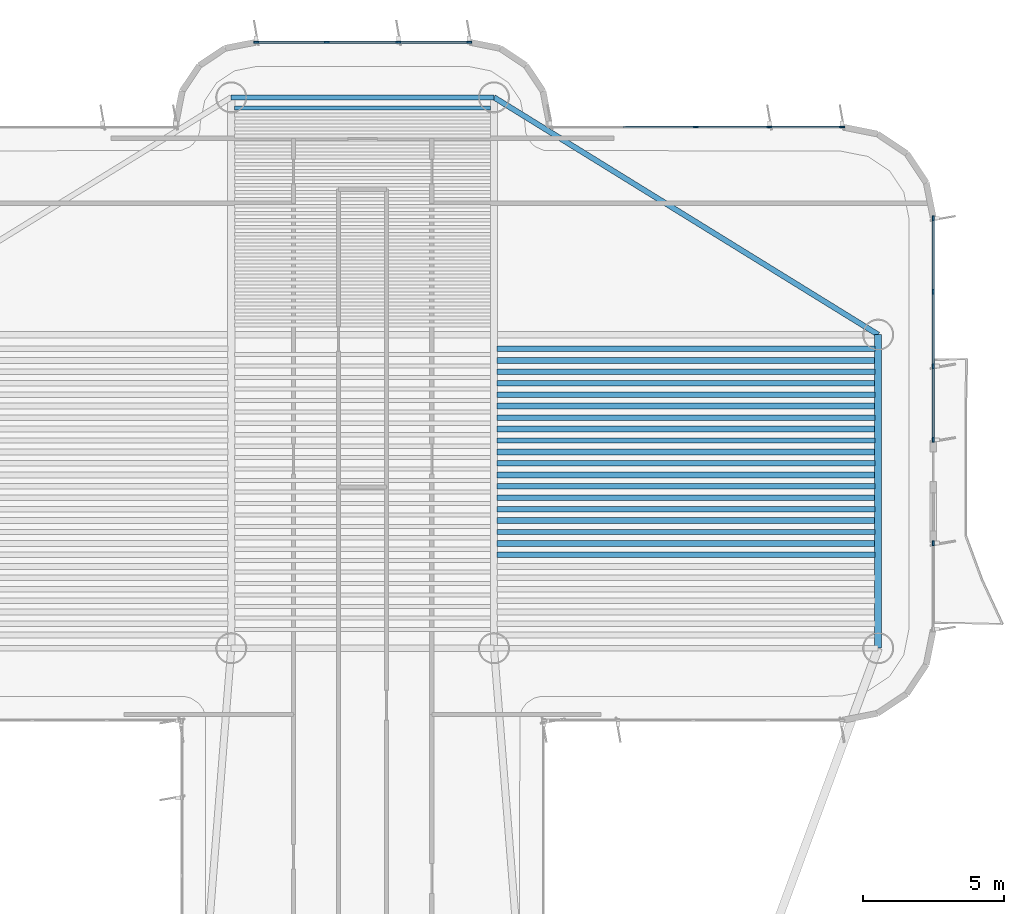
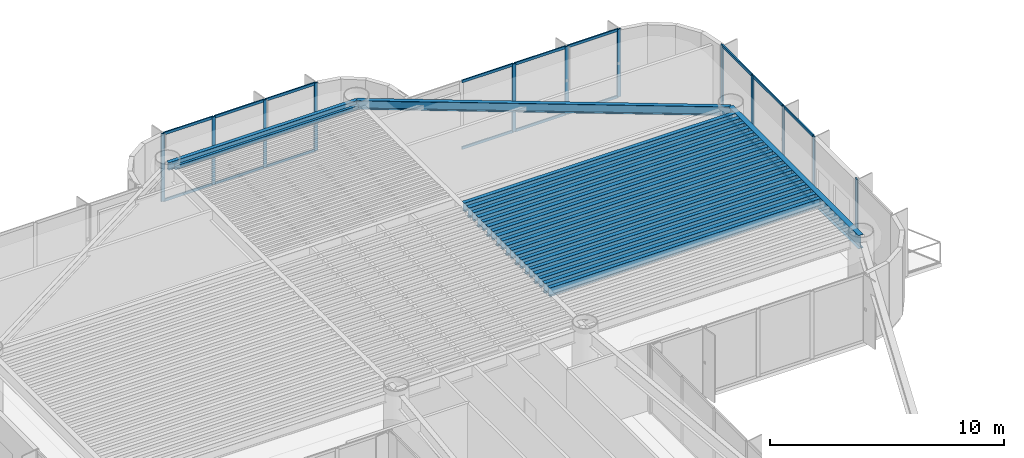
# One storey, part 7 of 13: 30 members, 23 beams, 4 elements without a shape of their own.
"""IFC4 building model written with IfcOpenShell, lengths in metres."""

from ifc_helpers import new_model, si_unit, direction, frame, origin, origin_2d, place, context, subcontext, project, spatial, rectangle, i_section, extrude, source, transform, mapped, material, layer, layer_set, material_profile, profile_set, type_object, element, aggregate, save


model = new_model("IFC4")

# Units and contexts
model_context = context("Model", 3, precision=1e-05, world=origin(), true_north=direction((0.0, 1.0)))
body_context = subcontext(model_context, "Body", "Model", "MODEL_VIEW")
ifc_project = project(units=[si_unit("LENGTHUNIT", "METRE"), si_unit("AREAUNIT", "SQUARE_METRE"), si_unit("VOLUMEUNIT", "CUBIC_METRE"), si_unit("PLANEANGLEUNIT", "RADIAN"), si_unit("MASSUNIT", "GRAM", prefix="KILO")], contexts=[model_context])

# Site, building, storey
site_placement = place(None, origin())
site = spatial("IfcSite", under=ifc_project, at=site_placement, CompositionType="ELEMENT")
building_placement = place(site_placement, origin())
building = spatial("IfcBuilding", under=site, at=building_placement, Name="Brelvock Crest Care Tower", CompositionType="ELEMENT")
storey_placement = place(building_placement, frame((0.0, 0.0, 186.659912109375)))
storey = spatial("IfcBuildingStorey", under=building, at=storey_placement, Name="L47", CompositionType="ELEMENT", Elevation=186.659912109375)

# Beams
ifc_material_1 = material(Name="Steel Grade 350", Category="steel")
ifc_material_profile_1 = material_profile(ifc_material_1, i_section(OverallWidth=0.177978515625, OverallDepth=0.406005859375, WebThickness=0.0078125, FlangeThickness=0.0126953125, FilletRadius=0.011474609375, at=origin_2d()), Name="410UB59.7")
ifc_profile_set_1 = profile_set([ifc_material_profile_1], Name="Steel Grade 350")
beam_type_1 = type_object("IfcBeamType", Name="BM-SP1", PredefinedType="SPANDREL", material=ifc_profile_set_1)
shared_shape_1 = source(origin(), body_context, "Body", "SweptSolid", [
    extrude(i_section(OverallWidth=0.177978515625, OverallDepth=0.406005859375, WebThickness=0.0078125, FlangeThickness=0.0126953125, FilletRadius=0.011474609375, at=origin_2d()), origin(), (0.0, 0.0, 1.0), 9.2998046875),
])
beam_1_placement = place(storey_placement, frame((31.35009765625, 54.449951171875, 3.3271484375), z_axis=(1.0, 0.0, 0.0), x_axis=(0.0, 1.0, 0.0)))
element("IfcBeam", 1, at=beam_1_placement, inside=storey, type_object=beam_type_1, Name="BM-TWR-L47-08", PredefinedType="SPANDREL", context=body_context, shape_type="MappedRepresentation", body=[
    mapped(shared_shape_1, transform((0.0, 0.0, 0.0), x_axis=(1.0, 0.0, 0.0), y_axis=(0.0, 1.0, 0.0), z_axis=(0.0, 0.0, 1.0), scale=1.0)),
])
ifc_material_profile_2 = material_profile(ifc_material_1, i_section(OverallWidth=0.134033203125, OverallDepth=0.20703125, WebThickness=0.00634765625, FlangeThickness=0.009521484375, FilletRadius=0.0087890625, at=origin_2d()), Name="200UB29.8")
ifc_profile_set_2 = profile_set([ifc_material_profile_2], Name="Steel Grade 350")
beam_type_2 = type_object("IfcBeamType", Name="BM-J4", PredefinedType="JOIST", material=ifc_profile_set_2)
shared_shape_2 = source(origin(), body_context, "Body", "SweptSolid", [
    extrude(i_section(OverallWidth=0.134033203125, OverallDepth=0.20703125, WebThickness=0.00634765625, FlangeThickness=0.009521484375, FilletRadius=0.0087890625, at=origin_2d()), origin(), (0.0, 0.0, 1.0), 9.06982421875),
])
beam_2_placement = place(storey_placement, frame((31.465087890625, 54.06787109375, 3.426513671875), z_axis=(1.0, 0.0, 0.0), x_axis=(0.0, 1.0, 0.0)))
element("IfcBeam", 2, at=beam_2_placement, inside=storey, type_object=beam_type_2, Name="BM-JN-L47-32", PredefinedType="JOIST", context=body_context, shape_type="MappedRepresentation", body=[
    mapped(shared_shape_2, transform((0.0, 0.0, 0.0), x_axis=(1.0, 0.0, 0.0), y_axis=(0.0, 1.0, 0.0), z_axis=(0.0, 0.0, 1.0), scale=1.0)),
])
ifc_material_profile_3 = material_profile(ifc_material_1, i_section(OverallWidth=0.208984375, OverallDepth=0.532958984375, WebThickness=0.01025390625, FlangeThickness=0.015625, FilletRadius=0.013916015625, at=origin_2d()), Name="530UB92.4")
ifc_profile_set_3 = profile_set([ifc_material_profile_3], Name="Steel Grade 350")
beam_type_3 = type_object("IfcBeamType", Name="BM-G2", PredefinedType="BEAM", material=ifc_profile_set_3)
shared_shape_3 = source(origin(), body_context, "Body", "SweptSolid", [
    extrude(i_section(OverallWidth=0.208984375, OverallDepth=0.532958984375, WebThickness=0.01025390625, FlangeThickness=0.015625, FilletRadius=0.013916015625, at=origin_2d()), origin(), (0.0, 0.0, 1.0), 13.3701171875),
])
for number, where, z_axis, x_axis, name in (
    (3, (40.764892578125, 38.657470703125, 3.263671875), (1.0, 0.0, 0.0), (0.0, 1.0, 0.0), "BM-JE-L47-9"),
    (4, (40.764892578125, 39.4677734375, 3.263671875), (1.0, 0.0, 0.0), (0.0, 1.0, 0.0), "BM-JE-L47-11"),
    (5, (40.764892578125, 40.278076171875, 3.263671875), (1.0, 0.0, 0.0), (0.0, 1.0, 0.0), "BM-JE-L47-13"),
    (6, (40.764892578125, 41.08837890625, 3.263671875), (1.0, 0.0, 0.0), (0.0, 1.0, 0.0), "BM-JE-L47-15"),
    (7, (40.764892578125, 41.898681640625, 3.263671875), (1.0, 0.0, 0.0), (0.0, 1.0, 0.0), "BM-JE-L47-17"),
    (8, (40.764892578125, 42.708984375, 3.263671875), (1.0, 0.0, 0.0), (0.0, 1.0, 0.0), "BM-JE-L47-19"),
    (9, (40.764892578125, 43.519287109375, 3.263671875), (1.0, 0.0, 0.0), (0.0, 1.0, 0.0), "BM-JE-L47-21"),
    (10, (40.764892578125, 44.32958984375, 3.263671875), (1.0, 0.0, 0.0), (0.0, 1.0, 0.0), "BM-JE-L47-23"),
    (11, (40.764892578125, 45.139892578125, 3.263671875), (1.0, 0.0, 0.0), (0.0, 1.0, 0.0), "BM-JE-L47-25"),
):
    element("IfcBeam", number, at=place(storey_placement, frame(where, z_axis=z_axis, x_axis=x_axis)), inside=storey, type_object=beam_type_3, Name=name, PredefinedType="BEAM", context=body_context, shape_type="MappedRepresentation", body=[
        mapped(shared_shape_3, transform((0.0, 0.0, 0.0), x_axis=(1.0, 0.0, 0.0), y_axis=(0.0, 1.0, 0.0), z_axis=(0.0, 0.0, 1.0), scale=1.0)),
    ])
ifc_material_profile_4 = material_profile(ifc_material_1, i_section(OverallWidth=0.19091796875, OverallDepth=0.4599609375, WebThickness=0.010009765625, FlangeThickness=0.01611328125, FilletRadius=0.011474609375, at=origin_2d()), Name="460UB82.1")
ifc_profile_set_4 = profile_set([ifc_material_profile_4], Name="Steel Grade 350")
beam_type_4 = type_object("IfcBeamType", Name="BM-G3", PredefinedType="BEAM", material=ifc_profile_set_4)
shared_shape_4 = source(origin(), body_context, "Body", "SweptSolid", [
    extrude(i_section(OverallWidth=0.19091796875, OverallDepth=0.4599609375, WebThickness=0.010009765625, FlangeThickness=0.01611328125, FilletRadius=0.011474609375, at=origin_2d()), origin(), (0.0, 0.0, 1.0), 13.3701171875),
])
for number, where, z_axis, x_axis, name in (
    (12, (40.764892578125, 38.252197265625, 3.300048828125), (1.0, 0.0, 0.0), (0.0, 1.0, 0.0), "BM-JE-L47-8"),
    (13, (40.764892578125, 39.0625, 3.300048828125), (1.0, 0.0, 0.0), (0.0, 1.0, 0.0), "BM-JE-L47-10"),
    (14, (40.764892578125, 39.872802734375, 3.300048828125), (1.0, 0.0, 0.0), (0.0, 1.0, 0.0), "BM-JE-L47-12"),
    (15, (40.764892578125, 40.68310546875, 3.300048828125), (1.0, 0.0, 0.0), (0.0, 1.0, 0.0), "BM-JE-L47-14"),
    (16, (40.764892578125, 41.493408203125, 3.300048828125), (1.0, 0.0, 0.0), (0.0, 1.0, 0.0), "BM-JE-L47-16"),
    (17, (40.764892578125, 42.3037109375, 3.300048828125), (1.0, 0.0, 0.0), (0.0, 1.0, 0.0), "BM-JE-L47-18"),
    (18, (40.764892578125, 43.114013671875, 3.300048828125), (1.0, 0.0, 0.0), (0.0, 1.0, 0.0), "BM-JE-L47-20"),
    (19, (40.764892578125, 43.92431640625, 3.300048828125), (1.0, 0.0, 0.0), (0.0, 1.0, 0.0), "BM-JE-L47-22"),
    (20, (40.764892578125, 44.734619140625, 3.300048828125), (1.0, 0.0, 0.0), (0.0, 1.0, 0.0), "BM-JE-L47-24"),
    (21, (40.764892578125, 45.544921875, 3.300048828125), (1.0, 0.0, 0.0), (0.0, 1.0, 0.0), "BM-JE-L47-26"),
):
    element("IfcBeam", number, at=place(storey_placement, frame(where, z_axis=z_axis, x_axis=x_axis)), inside=storey, type_object=beam_type_4, Name=name, PredefinedType="BEAM", context=body_context, shape_type="MappedRepresentation", body=[
        mapped(shared_shape_4, transform((0.0, 0.0, 0.0), x_axis=(1.0, 0.0, 0.0), y_axis=(0.0, 1.0, 0.0), z_axis=(0.0, 0.0, 1.0), scale=1.0)),
    ])
ifc_material_profile_5 = material_profile(ifc_material_1, i_section(OverallWidth=0.25, OverallDepth=0.699951171875, WebThickness=0.011962890625, FlangeThickness=0.02001953125, at=origin_2d()), Name="700WB150")
ifc_profile_set_5 = profile_set([ifc_material_profile_5], Name="Steel Grade 350")
beam_type_5 = type_object("IfcBeamType", Name="BM-G4", PredefinedType="BEAM", material=ifc_profile_set_5)
shared_shape_5 = source(origin(), body_context, "Body", "SweptSolid", [
    extrude(i_section(OverallWidth=0.25, OverallDepth=0.699951171875, WebThickness=0.011962890625, FlangeThickness=0.02001953125, at=origin_2d()), origin(), (0.0, 0.0, 1.0), 11.10009765625),
])
beam_3_placement = place(storey_placement, frame((54.25, 34.949951171875, 3.18017578125), z_axis=(0.0, 1.0, 0.0), x_axis=(-1.0, 0.0, 0.0)))
element("IfcBeam", 22, at=beam_3_placement, inside=storey, type_object=beam_type_5, Name="BM-TWR-L47-02", PredefinedType="BEAM", context=body_context, shape_type="MappedRepresentation", body=[
    mapped(shared_shape_5, transform((0.0, 0.0, 0.0), x_axis=(1.0, 0.0, 0.0), y_axis=(0.0, 1.0, 0.0), z_axis=(0.0, 0.0, 1.0), scale=1.0)),
])
ifc_material_profile_6 = material_profile(ifc_material_1, i_section(OverallWidth=0.19091796875, OverallDepth=0.4599609375, WebThickness=0.010009765625, FlangeThickness=0.01611328125, FilletRadius=0.011474609375, at=origin_2d()), Name="460UB82.1")
ifc_profile_set_6 = profile_set([ifc_material_profile_6], Name="Steel Grade 350")
beam_type_6 = type_object("IfcBeamType", Name="BM-SP2", PredefinedType="SPANDREL", material=ifc_profile_set_6)
shared_shape_6 = source(origin(), body_context, "Body", "SweptSolid", [
    extrude(i_section(OverallWidth=0.19091796875, OverallDepth=0.4599609375, WebThickness=0.010009765625, FlangeThickness=0.01611328125, FilletRadius=0.011474609375, at=origin_2d()), origin(), (0.0, 0.0, 1.0), 15.985107421875),
])
beam_4_placement = place(storey_placement, frame((40.64990234375, 54.449951171875, 3.300048828125), z_axis=(0.850802415717, -0.525485727124, 0.0), x_axis=(0.525485727124, 0.850802415717, 0.0)))
element("IfcBeam", 23, at=beam_4_placement, inside=storey, type_object=beam_type_6, Name="BM-TWR-L47-07", PredefinedType="SPANDREL", context=body_context, shape_type="MappedRepresentation", body=[
    mapped(shared_shape_6, transform((0.0, 0.0, 0.0), x_axis=(1.0, 0.0, 0.0), y_axis=(0.0, 1.0, 0.0), z_axis=(0.0, 0.0, 1.0), scale=1.0)),
])

# Curtain wall, members
ifc_material_2 = material(Name="Dark Glass Double Glazed Low-E", Category="glass")
ifc_layer = layer(ifc_material_2, 0.22509765625, Name="CWS-4")
ifc_layer_set = layer_set([ifc_layer], Name="Dark Glass Double Glazed Low-E")
curtain_wall_type = type_object("IfcCurtainWallType", Name="CWS-4", PredefinedType="NOTDEFINED", material=ifc_layer_set)
curtain_wall_1_placement = place(storey_placement, origin())
curtain_wall_1 = element("IfcCurtainWall", 24, at=curtain_wall_1_placement, inside=storey, type_object=curtain_wall_type, Name="L47 Curtain Wall E28", PredefinedType="NOTDEFINED")
ifc_material_3 = material(Name="Aluminium 6063-T6", Category="aluminium")
ifc_material_profile_7 = material_profile(ifc_material_3, rectangle(XDim=0.06005859375, YDim=0.179931640625, at=origin_2d()), Name="ALU60x180")
ifc_profile_set_7 = profile_set([ifc_material_profile_7], Name="Aluminium 6063-T6")
member_type_1 = type_object("IfcMemberType", Name="CWM-2", PredefinedType="MULLION", material=ifc_profile_set_7)
shared_shape_7 = source(origin(), body_context, "Body", "SweptSolid", [
    extrude(rectangle(XDim=0.06005859375, YDim=0.179931640625, at=origin_2d()), origin(), (0.0, 0.0, 1.0), 3.530029296875),
])
member_1_placement = place(storey_placement, frame((32.22998046875, 56.39990234375, 0.0), z_axis=(0.0, 0.0, 1.0), x_axis=(0.0, 1.0, 0.0)))
member_1 = element("IfcMember", 25, at=member_1_placement, type_object=member_type_1, Name="CW-4 mullion 1", PredefinedType="MULLION", context=body_context, shape_type="MappedRepresentation", body=[
    mapped(shared_shape_7, transform((0.0, 0.0, 0.0), x_axis=(1.0, 0.0, 0.0), y_axis=(0.0, 1.0, 0.0), z_axis=(0.0, 0.0, 1.0), scale=1.0)),
])
member_2_placement = place(storey_placement, frame((34.7333984375, 56.39990234375, 0.0), z_axis=(0.0, 0.0, 1.0), x_axis=(0.0, 1.0, 0.0)))
member_2 = element("IfcMember", 26, at=member_2_placement, type_object=member_type_1, Name="CW-4 mullion 2", PredefinedType="MULLION", context=body_context, shape_type="MappedRepresentation", body=[
    mapped(shared_shape_7, transform((0.0, 0.0, 0.0), x_axis=(1.0, 0.0, 0.0), y_axis=(0.0, 1.0, 0.0), z_axis=(0.0, 0.0, 1.0), scale=1.0)),
])
member_3_placement = place(storey_placement, frame((37.2666015625, 56.39990234375, 0.0), z_axis=(0.0, 0.0, 1.0), x_axis=(0.0, 1.0, 0.0)))
member_3 = element("IfcMember", 27, at=member_3_placement, type_object=member_type_1, Name="CW-4 mullion 3", PredefinedType="MULLION", context=body_context, shape_type="MappedRepresentation", body=[
    mapped(shared_shape_7, transform((0.0, 0.0, 0.0), x_axis=(1.0, 0.0, 0.0), y_axis=(0.0, 1.0, 0.0), z_axis=(0.0, 0.0, 1.0), scale=1.0)),
])
member_4_placement = place(storey_placement, frame((39.77001953125, 56.39990234375, 0.0), z_axis=(0.0, 0.0, 1.0), x_axis=(0.0, 1.0, 0.0)))
member_4 = element("IfcMember", 28, at=member_4_placement, type_object=member_type_1, Name="CW-4 mullion 4", PredefinedType="MULLION", context=body_context, shape_type="MappedRepresentation", body=[
    mapped(shared_shape_7, transform((0.0, 0.0, 0.0), x_axis=(1.0, 0.0, 0.0), y_axis=(0.0, 1.0, 0.0), z_axis=(0.0, 0.0, 1.0), scale=1.0)),
])

curtain_wall_2_placement = place(storey_placement, origin())
curtain_wall_2 = element("IfcCurtainWall", 29, at=curtain_wall_2_placement, inside=storey, type_object=curtain_wall_type, Name="L47 Curtain Wall E34", PredefinedType="NOTDEFINED")
member_5_placement = place(storey_placement, frame((47.800048828125, 53.39990234375, 0.0), z_axis=(0.0, 0.0, 1.0), x_axis=(0.0, 1.0, 0.0)))
member_5 = element("IfcMember", 30, at=member_5_placement, type_object=member_type_1, Name="CW-4 mullion 3", PredefinedType="MULLION", context=body_context, shape_type="MappedRepresentation", body=[
    mapped(shared_shape_7, transform((0.0, 0.0, 0.0), x_axis=(1.0, 0.0, 0.0), y_axis=(0.0, 1.0, 0.0), z_axis=(0.0, 0.0, 1.0), scale=1.0)),
])
member_6_placement = place(storey_placement, frame((50.39990234375, 53.39990234375, 0.0), z_axis=(0.0, 0.0, 1.0), x_axis=(0.0, 1.0, 0.0)))
member_6 = element("IfcMember", 31, at=member_6_placement, type_object=member_type_1, Name="CW-4 mullion 4", PredefinedType="MULLION", context=body_context, shape_type="MappedRepresentation", body=[
    mapped(shared_shape_7, transform((0.0, 0.0, 0.0), x_axis=(1.0, 0.0, 0.0), y_axis=(0.0, 1.0, 0.0), z_axis=(0.0, 0.0, 1.0), scale=1.0)),
])
member_7_placement = place(storey_placement, frame((52.969970703125, 53.39990234375, 0.0), z_axis=(0.0, 0.0, 1.0), x_axis=(0.0, 1.0, 0.0)))
member_7 = element("IfcMember", 32, at=member_7_placement, type_object=member_type_1, Name="CW-4 mullion 5", PredefinedType="MULLION", context=body_context, shape_type="MappedRepresentation", body=[
    mapped(shared_shape_7, transform((0.0, 0.0, 0.0), x_axis=(1.0, 0.0, 0.0), y_axis=(0.0, 1.0, 0.0), z_axis=(0.0, 0.0, 1.0), scale=1.0)),
])

curtain_wall_3_placement = place(storey_placement, origin())
curtain_wall_3 = element("IfcCurtainWall", 33, at=curtain_wall_3_placement, inside=storey, type_object=curtain_wall_type, Name="L47 Curtain Wall E39A", PredefinedType="NOTDEFINED")
member_8_placement = place(storey_placement, frame((56.199951171875, 50.169921875, 0.0), z_axis=(0.0, 0.0, 1.0), x_axis=(1.0, 0.0, 0.0)))
member_8 = element("IfcMember", 34, at=member_8_placement, type_object=member_type_1, Name="CW-4 mullion 1", PredefinedType="MULLION", context=body_context, shape_type="MappedRepresentation", body=[
    mapped(shared_shape_7, transform((0.0, 0.0, 0.0), x_axis=(1.0, 0.0, 0.0), y_axis=(0.0, 1.0, 0.0), z_axis=(0.0, 0.0, 1.0), scale=1.0)),
])
member_9_placement = place(storey_placement, frame((56.199951171875, 47.566650390625, 0.0), z_axis=(0.0, 0.0, 1.0), x_axis=(1.0, 0.0, 0.0)))
member_9 = element("IfcMember", 35, at=member_9_placement, type_object=member_type_1, Name="CW-4 mullion 2", PredefinedType="MULLION", context=body_context, shape_type="MappedRepresentation", body=[
    mapped(shared_shape_7, transform((0.0, 0.0, 0.0), x_axis=(1.0, 0.0, 0.0), y_axis=(0.0, 1.0, 0.0), z_axis=(0.0, 0.0, 1.0), scale=1.0)),
])
member_10_placement = place(storey_placement, frame((56.199951171875, 44.933349609375, 0.0), z_axis=(0.0, 0.0, 1.0), x_axis=(1.0, 0.0, 0.0)))
member_10 = element("IfcMember", 36, at=member_10_placement, type_object=member_type_1, Name="CW-4 mullion 3", PredefinedType="MULLION", context=body_context, shape_type="MappedRepresentation", body=[
    mapped(shared_shape_7, transform((0.0, 0.0, 0.0), x_axis=(1.0, 0.0, 0.0), y_axis=(0.0, 1.0, 0.0), z_axis=(0.0, 0.0, 1.0), scale=1.0)),
])
member_11_placement = place(storey_placement, frame((56.199951171875, 42.330078125, 0.0), z_axis=(0.0, 0.0, 1.0), x_axis=(1.0, 0.0, 0.0)))
member_11 = element("IfcMember", 37, at=member_11_placement, type_object=member_type_1, Name="CW-4 mullion 4", PredefinedType="MULLION", context=body_context, shape_type="MappedRepresentation", body=[
    mapped(shared_shape_7, transform((0.0, 0.0, 0.0), x_axis=(1.0, 0.0, 0.0), y_axis=(0.0, 1.0, 0.0), z_axis=(0.0, 0.0, 1.0), scale=1.0)),
])

# Curtain wall, member
curtain_wall_4_placement = place(storey_placement, origin())
curtain_wall_4 = element("IfcCurtainWall", 38, at=curtain_wall_4_placement, inside=storey, type_object=curtain_wall_type, Name="L47 Curtain Wall E39B", PredefinedType="NOTDEFINED")
member_12_placement = place(storey_placement, frame((56.199951171875, 38.669921875, 0.0), z_axis=(0.0, 0.0, 1.0), x_axis=(1.0, 0.0, 0.0)))
member_12 = element("IfcMember", 39, at=member_12_placement, type_object=member_type_1, Name="CW-4 mullion 1", PredefinedType="MULLION", context=body_context, shape_type="MappedRepresentation", body=[
    mapped(shared_shape_7, transform((0.0, 0.0, 0.0), x_axis=(1.0, 0.0, 0.0), y_axis=(0.0, 1.0, 0.0), z_axis=(0.0, 0.0, 1.0), scale=1.0)),
])
aggregate(curtain_wall_4, [member_12])

# Member
ifc_material_profile_8 = material_profile(ifc_material_3, rectangle(XDim=0.06005859375, YDim=0.139892578125, at=origin_2d()), Name="ALU60x140")
ifc_profile_set_8 = profile_set([ifc_material_profile_8], Name="Aluminium 6063-T6")
member_type_2 = type_object("IfcMemberType", Name="CWT-2", PredefinedType="USERDEFINED", material=ifc_profile_set_8)
shared_shape_8 = source(origin(), body_context, "Body", "SweptSolid", [
    extrude(rectangle(XDim=0.06005859375, YDim=0.139892578125, at=origin_2d()), origin(), (0.0, 0.0, 1.0), 2.443359375),
])
member_13_placement = place(storey_placement, frame((32.260009765625, 56.39990234375, 0.030029296875), z_axis=(1.0, 0.0, 0.0), x_axis=(0.0, 1.0, 0.0)))
member_13 = element("IfcMember", 40, at=member_13_placement, type_object=member_type_2, Name="CW-4 transom 1.1", ObjectType="TRANSOM", PredefinedType="USERDEFINED", context=body_context, shape_type="MappedRepresentation", body=[
    mapped(shared_shape_8, transform((0.0, 0.0, 0.0), x_axis=(1.0, 0.0, 0.0), y_axis=(0.0, 1.0, 0.0), z_axis=(0.0, 0.0, 1.0), scale=1.0)),
])

member_14_placement = place(storey_placement, frame((32.260009765625, 56.39990234375, 3.5), z_axis=(1.0, 0.0, 0.0), x_axis=(0.0, 1.0, 0.0)))
member_14 = element("IfcMember", 41, at=member_14_placement, type_object=member_type_2, Name="CW-4 transom 1.2", ObjectType="TRANSOM", PredefinedType="USERDEFINED", context=body_context, shape_type="MappedRepresentation", body=[
    mapped(shared_shape_8, transform((0.0, 0.0, 0.0), x_axis=(1.0, 0.0, 0.0), y_axis=(0.0, 1.0, 0.0), z_axis=(0.0, 0.0, 1.0), scale=1.0)),
])

member_15_placement = place(storey_placement, frame((37.296630859375, 56.39990234375, 0.030029296875), z_axis=(1.0, 0.0, 0.0), x_axis=(0.0, 1.0, 0.0)))
member_15 = element("IfcMember", 42, at=member_15_placement, type_object=member_type_2, Name="CW-4 transom 3.1", ObjectType="TRANSOM", PredefinedType="USERDEFINED", context=body_context, shape_type="MappedRepresentation", body=[
    mapped(shared_shape_8, transform((0.0, 0.0, 0.0), x_axis=(1.0, 0.0, 0.0), y_axis=(0.0, 1.0, 0.0), z_axis=(0.0, 0.0, 1.0), scale=1.0)),
])

member_16_placement = place(storey_placement, frame((37.296630859375, 56.39990234375, 3.5), z_axis=(1.0, 0.0, 0.0), x_axis=(0.0, 1.0, 0.0)))
member_16 = element("IfcMember", 43, at=member_16_placement, type_object=member_type_2, Name="CW-4 transom 3.2", ObjectType="TRANSOM", PredefinedType="USERDEFINED", context=body_context, shape_type="MappedRepresentation", body=[
    mapped(shared_shape_8, transform((0.0, 0.0, 0.0), x_axis=(1.0, 0.0, 0.0), y_axis=(0.0, 1.0, 0.0), z_axis=(0.0, 0.0, 1.0), scale=1.0)),
])

shared_shape_9 = source(origin(), body_context, "Body", "SweptSolid", [
    extrude(rectangle(XDim=0.06005859375, YDim=0.139892578125, at=origin_2d()), origin(), (0.0, 0.0, 1.0), 2.47314453125),
])
member_17_placement = place(storey_placement, frame((34.763427734375, 56.39990234375, 0.030029296875), z_axis=(1.0, 0.0, 0.0), x_axis=(0.0, 1.0, 0.0)))
member_17 = element("IfcMember", 44, at=member_17_placement, type_object=member_type_2, Name="CW-4 transom 2.1", ObjectType="TRANSOM", PredefinedType="USERDEFINED", context=body_context, shape_type="MappedRepresentation", body=[
    mapped(shared_shape_9, transform((0.0, 0.0, 0.0), x_axis=(1.0, 0.0, 0.0), y_axis=(0.0, 1.0, 0.0), z_axis=(0.0, 0.0, 1.0), scale=1.0)),
])

member_18_placement = place(storey_placement, frame((34.763427734375, 56.39990234375, 3.5), z_axis=(1.0, 0.0, 0.0), x_axis=(0.0, 1.0, 0.0)))
member_18 = element("IfcMember", 45, at=member_18_placement, type_object=member_type_2, Name="CW-4 transom 2.2", ObjectType="TRANSOM", PredefinedType="USERDEFINED", context=body_context, shape_type="MappedRepresentation", body=[
    mapped(shared_shape_9, transform((0.0, 0.0, 0.0), x_axis=(1.0, 0.0, 0.0), y_axis=(0.0, 1.0, 0.0), z_axis=(0.0, 0.0, 1.0), scale=1.0)),
])

aggregate(curtain_wall_1, [member_1, member_2, member_3, member_4, member_13, member_14, member_17, member_18, member_15, member_16])

shared_shape_10 = source(origin(), body_context, "Body", "SweptSolid", [
    extrude(rectangle(XDim=0.06005859375, YDim=0.139892578125, at=origin_2d()), origin(), (0.0, 0.0, 1.0), 2.510009765625),
])
member_19_placement = place(storey_placement, frame((50.429931640625, 53.39990234375, 0.030029296875), z_axis=(1.0, 0.0, 0.0), x_axis=(0.0, 1.0, 0.0)))
member_19 = element("IfcMember", 46, at=member_19_placement, type_object=member_type_2, Name="CW-4 transom 4.1", ObjectType="TRANSOM", PredefinedType="USERDEFINED", context=body_context, shape_type="MappedRepresentation", body=[
    mapped(shared_shape_10, transform((0.0, 0.0, 0.0), x_axis=(1.0, 0.0, 0.0), y_axis=(0.0, 1.0, 0.0), z_axis=(0.0, 0.0, 1.0), scale=1.0)),
])

member_20_placement = place(storey_placement, frame((50.429931640625, 53.39990234375, 3.5), z_axis=(1.0, 0.0, 0.0), x_axis=(0.0, 1.0, 0.0)))
member_20 = element("IfcMember", 47, at=member_20_placement, type_object=member_type_2, Name="CW-4 transom 4.2", ObjectType="TRANSOM", PredefinedType="USERDEFINED", context=body_context, shape_type="MappedRepresentation", body=[
    mapped(shared_shape_10, transform((0.0, 0.0, 0.0), x_axis=(1.0, 0.0, 0.0), y_axis=(0.0, 1.0, 0.0), z_axis=(0.0, 0.0, 1.0), scale=1.0)),
])

shared_shape_11 = source(origin(), body_context, "Body", "SweptSolid", [
    extrude(rectangle(XDim=0.06005859375, YDim=0.139892578125, at=origin_2d()), origin(), (0.0, 0.0, 1.0), 2.5400390625),
])
member_21_placement = place(storey_placement, frame((45.22998046875, 53.39990234375, 0.030029296875), z_axis=(1.0, 0.0, 0.0), x_axis=(0.0, 1.0, 0.0)))
member_21 = element("IfcMember", 48, at=member_21_placement, type_object=member_type_2, Name="CW-4 transom 2.1", ObjectType="TRANSOM", PredefinedType="USERDEFINED", context=body_context, shape_type="MappedRepresentation", body=[
    mapped(shared_shape_11, transform((0.0, 0.0, 0.0), x_axis=(1.0, 0.0, 0.0), y_axis=(0.0, 1.0, 0.0), z_axis=(0.0, 0.0, 1.0), scale=1.0)),
])

member_22_placement = place(storey_placement, frame((45.22998046875, 53.39990234375, 3.5), z_axis=(1.0, 0.0, 0.0), x_axis=(0.0, 1.0, 0.0)))
member_22 = element("IfcMember", 49, at=member_22_placement, type_object=member_type_2, Name="CW-4 transom 2.2", ObjectType="TRANSOM", PredefinedType="USERDEFINED", context=body_context, shape_type="MappedRepresentation", body=[
    mapped(shared_shape_11, transform((0.0, 0.0, 0.0), x_axis=(1.0, 0.0, 0.0), y_axis=(0.0, 1.0, 0.0), z_axis=(0.0, 0.0, 1.0), scale=1.0)),
])

member_23_placement = place(storey_placement, frame((47.830078125, 53.39990234375, 0.030029296875), z_axis=(1.0, 0.0, 0.0), x_axis=(0.0, 1.0, 0.0)))
member_23 = element("IfcMember", 50, at=member_23_placement, type_object=member_type_2, Name="CW-4 transom 3.1", ObjectType="TRANSOM", PredefinedType="USERDEFINED", context=body_context, shape_type="MappedRepresentation", body=[
    mapped(shared_shape_11, transform((0.0, 0.0, 0.0), x_axis=(1.0, 0.0, 0.0), y_axis=(0.0, 1.0, 0.0), z_axis=(0.0, 0.0, 1.0), scale=1.0)),
])

member_24_placement = place(storey_placement, frame((47.830078125, 53.39990234375, 3.5), z_axis=(1.0, 0.0, 0.0), x_axis=(0.0, 1.0, 0.0)))
member_24 = element("IfcMember", 51, at=member_24_placement, type_object=member_type_2, Name="CW-4 transom 3.2", ObjectType="TRANSOM", PredefinedType="USERDEFINED", context=body_context, shape_type="MappedRepresentation", body=[
    mapped(shared_shape_11, transform((0.0, 0.0, 0.0), x_axis=(1.0, 0.0, 0.0), y_axis=(0.0, 1.0, 0.0), z_axis=(0.0, 0.0, 1.0), scale=1.0)),
])

aggregate(curtain_wall_2, [member_5, member_6, member_7, member_21, member_22, member_23, member_24, member_19, member_20])

shared_shape_12 = source(origin(), body_context, "Body", "SweptSolid", [
    extrude(rectangle(XDim=0.06005859375, YDim=0.139892578125, at=origin_2d()), origin(), (0.0, 0.0, 1.0), 2.543212890625),
])
member_25_placement = place(storey_placement, frame((56.199951171875, 50.139892578125, 0.030029296875), z_axis=(0.0, -1.0, 0.0), x_axis=(1.0, 0.0, 0.0)))
member_25 = element("IfcMember", 52, at=member_25_placement, type_object=member_type_2, Name="CW-4 transom 1.1", ObjectType="TRANSOM", PredefinedType="USERDEFINED", context=body_context, shape_type="MappedRepresentation", body=[
    mapped(shared_shape_12, transform((0.0, 0.0, 0.0), x_axis=(1.0, 0.0, 0.0), y_axis=(0.0, 1.0, 0.0), z_axis=(0.0, 0.0, 1.0), scale=1.0)),
])

member_26_placement = place(storey_placement, frame((56.199951171875, 50.139892578125, 3.5), z_axis=(0.0, -1.0, 0.0), x_axis=(1.0, 0.0, 0.0)))
member_26 = element("IfcMember", 53, at=member_26_placement, type_object=member_type_2, Name="CW-4 transom 1.2", ObjectType="TRANSOM", PredefinedType="USERDEFINED", context=body_context, shape_type="MappedRepresentation", body=[
    mapped(shared_shape_12, transform((0.0, 0.0, 0.0), x_axis=(1.0, 0.0, 0.0), y_axis=(0.0, 1.0, 0.0), z_axis=(0.0, 0.0, 1.0), scale=1.0)),
])

member_27_placement = place(storey_placement, frame((56.199951171875, 44.9033203125, 0.030029296875), z_axis=(0.0, -1.0, 0.0), x_axis=(1.0, 0.0, 0.0)))
member_27 = element("IfcMember", 54, at=member_27_placement, type_object=member_type_2, Name="CW-4 transom 3.1", ObjectType="TRANSOM", PredefinedType="USERDEFINED", context=body_context, shape_type="MappedRepresentation", body=[
    mapped(shared_shape_12, transform((0.0, 0.0, 0.0), x_axis=(1.0, 0.0, 0.0), y_axis=(0.0, 1.0, 0.0), z_axis=(0.0, 0.0, 1.0), scale=1.0)),
])

member_28_placement = place(storey_placement, frame((56.199951171875, 44.9033203125, 3.5), z_axis=(0.0, -1.0, 0.0), x_axis=(1.0, 0.0, 0.0)))
member_28 = element("IfcMember", 55, at=member_28_placement, type_object=member_type_2, Name="CW-4 transom 3.2", ObjectType="TRANSOM", PredefinedType="USERDEFINED", context=body_context, shape_type="MappedRepresentation", body=[
    mapped(shared_shape_12, transform((0.0, 0.0, 0.0), x_axis=(1.0, 0.0, 0.0), y_axis=(0.0, 1.0, 0.0), z_axis=(0.0, 0.0, 1.0), scale=1.0)),
])

shared_shape_13 = source(origin(), body_context, "Body", "SweptSolid", [
    extrude(rectangle(XDim=0.06005859375, YDim=0.139892578125, at=origin_2d()), origin(), (0.0, 0.0, 1.0), 2.5732421875),
])
member_29_placement = place(storey_placement, frame((56.199951171875, 47.53662109375, 0.030029296875), z_axis=(0.0, -1.0, 0.0), x_axis=(1.0, 0.0, 0.0)))
member_29 = element("IfcMember", 56, at=member_29_placement, type_object=member_type_2, Name="CW-4 transom 2.1", ObjectType="TRANSOM", PredefinedType="USERDEFINED", context=body_context, shape_type="MappedRepresentation", body=[
    mapped(shared_shape_13, transform((0.0, 0.0, 0.0), x_axis=(1.0, 0.0, 0.0), y_axis=(0.0, 1.0, 0.0), z_axis=(0.0, 0.0, 1.0), scale=1.0)),
])

member_30_placement = place(storey_placement, frame((56.199951171875, 47.53662109375, 3.5), z_axis=(0.0, -1.0, 0.0), x_axis=(1.0, 0.0, 0.0)))
member_30 = element("IfcMember", 57, at=member_30_placement, type_object=member_type_2, Name="CW-4 transom 2.2", ObjectType="TRANSOM", PredefinedType="USERDEFINED", context=body_context, shape_type="MappedRepresentation", body=[
    mapped(shared_shape_13, transform((0.0, 0.0, 0.0), x_axis=(1.0, 0.0, 0.0), y_axis=(0.0, 1.0, 0.0), z_axis=(0.0, 0.0, 1.0), scale=1.0)),
])

aggregate(curtain_wall_3, [member_8, member_9, member_10, member_11, member_25, member_26, member_29, member_30, member_27, member_28])

save(model, "model.ifc")
